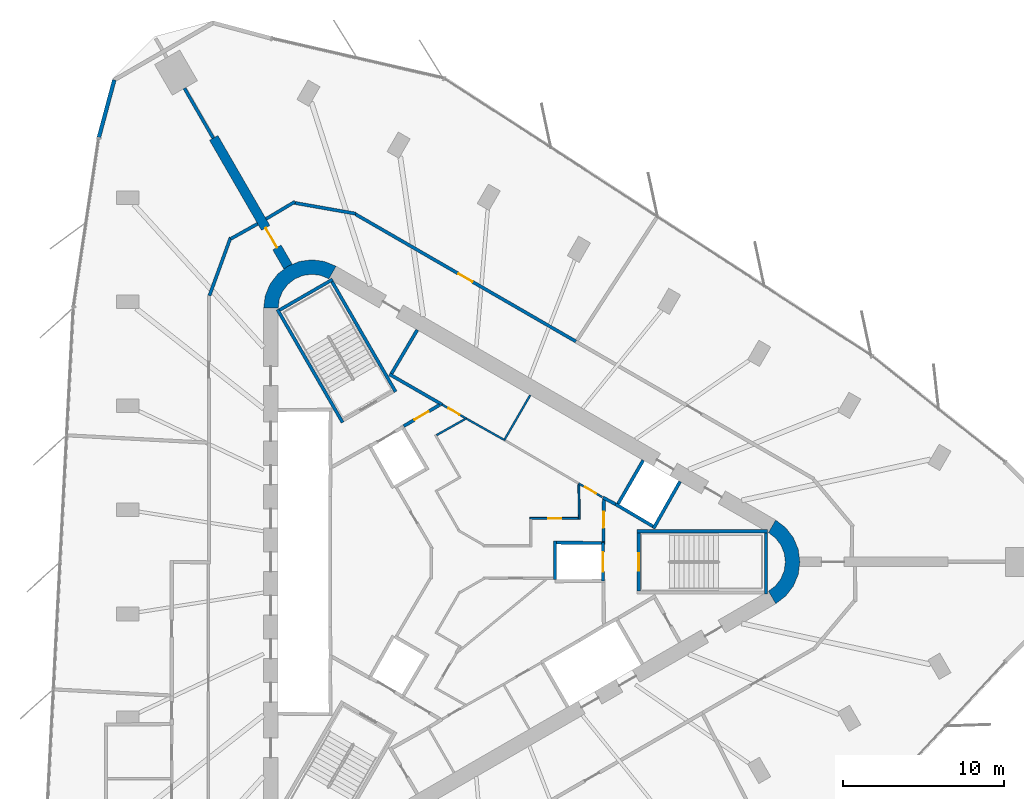
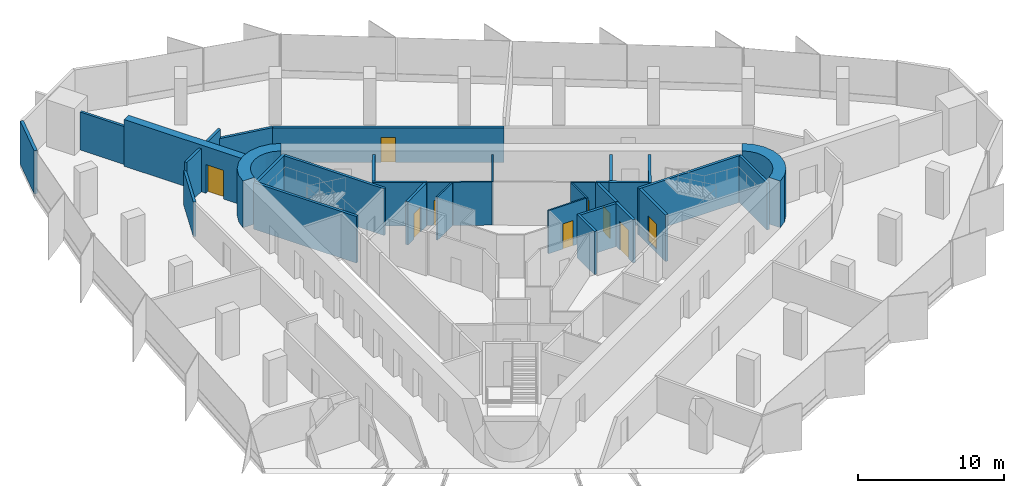
# One storey, part 11 of 13: 34 walls, 9 doors, 9 openings.
"""IFC4 building model written with IfcOpenShell, lengths in metres."""

from ifc_helpers import new_model, si_unit, direction, frame, frame_2d, origin, place, context, subcontext, project, spatial, polyline, rectangle, outline, extrude, material, layer, layer_set, type_object, element, fill, save


model = new_model("IFC4")

# Units and contexts
model_context = context("Model", 3, precision=1e-05, world=origin(), true_north=direction((0.0, 1.0)))
body_context = subcontext(model_context, "Body", "Model", "MODEL_VIEW")
ifc_project = project(units=[si_unit("LENGTHUNIT", "METRE"), si_unit("AREAUNIT", "SQUARE_METRE"), si_unit("VOLUMEUNIT", "CUBIC_METRE"), si_unit("PLANEANGLEUNIT", "RADIAN"), si_unit("MASSUNIT", "GRAM", prefix="KILO")], contexts=[model_context])

# Site, building, storey
site_placement = place(None, origin())
site = spatial("IfcSite", under=ifc_project, at=site_placement, CompositionType="ELEMENT")
building_placement = place(site_placement, origin())
building = spatial("IfcBuilding", under=site, at=building_placement, Name="Tanit Gate Tower", CompositionType="ELEMENT")
storey_placement = place(building_placement, frame((0.0, 0.0, 314.300048828125)))
storey = spatial("IfcBuildingStorey", under=building, at=storey_placement, Name="L70", CompositionType="ELEMENT", Elevation=314.300048828125)

# Wall, opening, door
ifc_material_1 = material(Name="Concrete C40/50", Category="concrete")
ifc_layer_1 = layer(ifc_material_1, 0.60009765625)
ifc_layer_set_1 = layer_set([ifc_layer_1], Name="BUTTRESS FIN 600 C40/50")
wall_type_1 = type_object("IfcWallType", Name="BUTTRESS FIN 600 C40/50", PredefinedType="SHEAR", material=ifc_layer_set_1)
wall_1_placement = place(storey_placement, frame((-10.574951171875, 18.31640625, 0.0), z_axis=(0.0, 0.0, 1.0), x_axis=(-0.500009446655, 0.866019949687, 0.0)))
wall_1 = element("IfcWall", 1, at=wall_1_placement, inside=storey, type_object=wall_type_1, Name="BUTTRESS FIN", PredefinedType="SHEAR", context=body_context, shape_type="SweptSolid", body=[
    extrude(rectangle(XDim=9.253662109375, YDim=0.60009765625, at=frame_2d((4.626953125, 0.0))), origin(), (0.0, 0.0, 1.0), 3.89990234375),
])
opening_1_placement = place(wall_1_placement, frame((1.39990234375, 0.0, 0.0)))
opening_1 = element("IfcOpeningElement", 2, at=opening_1_placement, cuts=wall_1, Name="Opening P14-S19-F-NW-1", PredefinedType="OPENING", context=body_context, shape_type="SweptSolid", body=[
    extrude(rectangle(XDim=1.39990234375, YDim=2.39990234375, at=frame_2d((0.699951171875, 1.199951171875))), frame((0.0, 0.31005859375, 0.0), z_axis=(0.0, -1.0, 0.0), x_axis=(1.0, 0.0, 0.0)), (0.0, 0.0, 1.0), 0.6201171875),
])
ifc_material_2 = material(Name="Timber door leaf", Category="wood")
door_type_1 = type_object("IfcDoorType", Name="INT-DOOR-FIN-PAIR-1400", OperationType="NOTDEFINED", PredefinedType="NOTDEFINED", material=ifc_material_2)
door_1_placement = place(opening_1_placement, origin())
door_1 = element("IfcDoor", 3, at=door_1_placement, inside=storey, type_object=door_type_1, Name="Door P14-S19-F-NW-1", OperationType="DOUBLE_DOOR_SINGLE_SWING", OverallHeight=2.39990234375, OverallWidth=1.39990234375, PredefinedType="NOTDEFINED", context=body_context, shape_type="SweptSolid", body=[
    extrude(rectangle(XDim=1.39990234375, YDim=2.39990234375, at=frame_2d((0.699951171875, 1.199951171875))), frame((0.0, 0.02490234375, 0.0), z_axis=(0.0, -1.0, 0.0), x_axis=(1.0, 0.0, 0.0)), (0.0, 0.0, 1.0), 0.050048828125),
])
fill(opening_1, door_1)

# Walls
ifc_material_3 = material(Name="Concrete C40/50", Category="concrete")
ifc_layer_2 = layer(ifc_material_3, 0.89990234375)
ifc_layer_set_2 = layer_set([ifc_layer_2], Name="CORE WALL 900 C40/50")
wall_type_2 = type_object("IfcWallType", Name="CORE WALL 900 C40/50", PredefinedType="SHEAR", material=ifc_layer_set_2)
wall_2_placement = place(storey_placement, origin())
element("IfcWall", 4, at=wall_2_placement, inside=storey, type_object=wall_type_2, Name="CORE WALL CORNER", PredefinedType="SHEAR", context=body_context, shape_type="SweptSolid", body=[
    extrude(outline(polyline([(-7.60009765625, 18.359619140625), (-8.323486328125, 18.659423828125), (-9.10009765625, 18.76171875), (-9.87646484375, 18.659423828125), (-10.60009765625, 18.359619140625), (-11.22119140625, 17.883056640625), (-11.697998046875, 17.26171875), (-11.997802734375, 16.5380859375), (-12.10009765625, 15.76171875), (-11.199951171875, 15.76171875), (-11.12841796875, 16.30517578125), (-10.918701171875, 16.811767578125), (-10.5849609375, 17.24658203125), (-10.14990234375, 17.580322265625), (-9.6435546875, 17.7900390625), (-9.10009765625, 17.86181640625), (-8.556396484375, 17.7900390625), (-8.050048828125, 17.580322265625), (-7.60009765625, 18.359619140625)])), origin(), (0.0, 0.0, 1.0), 3.89990234375),
])
wall_3_placement = place(storey_placement, origin())
element("IfcWall", 5, at=wall_3_placement, inside=storey, type_object=wall_type_2, Name="CORE WALL CORNER", PredefinedType="SHEAR", context=body_context, shape_type="SweptSolid", body=[
    extrude(outline(polyline([(19.699951171875, -2.59814453125), (20.3212890625, -2.121337890625), (20.798095703125, -1.5), (21.097900390625, -0.776611328125), (21.199951171875, 0.0), (21.097900390625, 0.776611328125), (20.798095703125, 1.5), (20.3212890625, 2.121337890625), (19.699951171875, 2.59814453125), (19.25, 1.818603515625), (19.684814453125, 1.48486328125), (20.018798828125, 1.050048828125), (20.228515625, 0.54345703125), (20.300048828125, 0.0), (20.228515625, -0.54345703125), (20.018798828125, -1.050048828125), (19.684814453125, -1.48486328125), (19.25, -1.818603515625), (19.699951171875, -2.59814453125)])), origin(), (0.0, 0.0, 1.0), 3.89990234375),
])
ifc_material_4 = material(Name="Concrete C30/37 with bronze anodised aluminium cladding", Category="concrete")
ifc_layer_3 = layer(ifc_material_4, 0.239990234375)
ifc_layer_set_3 = layer_set([ifc_layer_3], Name="Facade wall bronze clad 240")
wall_type_3 = type_object("IfcWallType", Name="Facade wall bronze clad 240", PredefinedType="SOLIDWALL", material=ifc_layer_set_3)
wall_4_placement = place(storey_placement, frame((-21.375244140625, 29.930908203125, 0.0), z_axis=(0.0, 0.0, 1.0), x_axis=(-0.258772400119, -0.965938323568, 0.0)))
element("IfcWall", 6, at=wall_4_placement, inside=storey, type_object=wall_type_3, Name="Bronze-clad facade wall L70 NW.arc3", PredefinedType="SOLIDWALL", context=body_context, shape_type="SweptSolid", body=[
    extrude(rectangle(XDim=3.696533203125, YDim=0.239990234375, at=frame_2d((1.84814453125, 0.0))), origin(), (0.0, 0.0, 1.0), 3.599853515625),
])
ifc_material_5 = material(Name="Fire-rated gypsum board partition")
ifc_layer_4 = layer(ifc_material_5, 0.199951171875)
ifc_layer_set_4 = layer_set([ifc_layer_4], Name="INT-WALL-COMPARTMENT")
wall_type_4 = type_object("IfcWallType", Name="INT-WALL-COMPARTMENT", PredefinedType="PARTITIONING", material=ifc_layer_set_4)
wall_5_placement = place(storey_placement, frame((8.97412109375, 3.998779296875, 0.0), z_axis=(0.0, 0.0, 1.0), x_axis=(0.880917147855, -0.473270513147, 0.0)))
element("IfcWall", 7, at=wall_5_placement, inside=storey, type_object=wall_type_4, Name="Wall Compartment W045", PredefinedType="PARTITIONING", context=body_context, shape_type="SweptSolid", body=[
    extrude(rectangle(XDim=0.8779296875, YDim=0.199951171875, at=frame_2d((0.43896484375, 0.0))), origin(), (0.0, 0.0, 1.0), 3.599853515625),
])
wall_6_placement = place(storey_placement, frame((-4.295654296875, 11.659912109375, 0.0), z_axis=(0.0, 0.0, 1.0), x_axis=(0.866027389382, -0.499996560828, 0.0)))
element("IfcWall", 8, at=wall_6_placement, inside=storey, type_object=wall_type_4, Name="Wall Compartment W048", PredefinedType="PARTITIONING", context=body_context, shape_type="SweptSolid", body=[
    extrude(rectangle(XDim=3.77783203125, YDim=0.199951171875, at=frame_2d((1.888916015625, 0.0))), origin(), (0.0, 0.0, 1.0), 3.599853515625),
])
wall_7_placement = place(storey_placement, frame((-2.557861328125, 14.409423828125, 0.0), z_axis=(0.0, 0.0, 1.0), x_axis=(-0.508018930956, -0.861345903683, 0.0)))
element("IfcWall", 9, at=wall_7_placement, inside=storey, type_object=wall_type_4, Name="Wall Compartment W049", PredefinedType="PARTITIONING", context=body_context, shape_type="SweptSolid", body=[
    extrude(rectangle(XDim=3.150146484375, YDim=0.199951171875, at=frame_2d((1.5751953125, 0.0))), origin(), (0.0, 0.0, 1.0), 3.599853515625),
])

# Wall, opening, door
wall_8_placement = place(storey_placement, frame((9.0009765625, 1.27001953125, 0.0), z_axis=(0.0, 0.0, 1.0), x_axis=(0.010723968736, 0.999942496594, 0.0)))
wall_8 = element("IfcWall", 10, at=wall_8_placement, inside=storey, type_object=wall_type_4, Name="Wall Compartment W063", PredefinedType="PARTITIONING", context=body_context, shape_type="SweptSolid", body=[
    extrude(rectangle(XDim=2.709228515625, YDim=0.199951171875, at=frame_2d((1.3544921875, 0.0))), origin(), (0.0, 0.0, 1.0), 3.599853515625),
])
opening_2_placement = place(wall_8_placement, frame((0.848388671875, 0.0, 0.0)))
opening_2 = element("IfcOpeningElement", 11, at=opening_2_placement, cuts=wall_8, Name="Opening F10-S19-02", PredefinedType="OPENING", context=body_context, shape_type="SweptSolid", body=[
    extrude(rectangle(XDim=1.0, YDim=2.10009765625, at=frame_2d((0.5, 1.050048828125))), frame((0.0, 0.10986328125, 0.0), z_axis=(0.0, -1.0, 0.0), x_axis=(1.0, 0.0, 0.0)), (0.0, 0.0, 1.0), 0.219970703125),
])
ifc_material_6 = material(Name="Fire-rated steel door leaf", Category="steel")
door_type_2 = type_object("IfcDoorType", Name="INT-DOOR-FIRE-1000", OperationType="NOTDEFINED", PredefinedType="USERDEFINED", material=ifc_material_6)
door_2_placement = place(opening_2_placement, origin())
door_2 = element("IfcDoor", 12, at=door_2_placement, inside=storey, type_object=door_type_2, Name="Door F10-S19-02", ObjectType="FIRE DOOR", OperationType="SINGLE_SWING_LEFT", OverallHeight=2.10009765625, OverallWidth=1.0, PredefinedType="USERDEFINED", context=body_context, shape_type="SweptSolid", body=[
    extrude(rectangle(XDim=1.0, YDim=2.10009765625, at=frame_2d((0.5, 1.050048828125))), frame((0.0, 0.02490234375, 0.0), z_axis=(0.0, -1.0, 0.0), x_axis=(1.0, 0.0, 0.0)), (0.0, 0.0, 1.0), 0.050048828125),
])
fill(opening_2, door_2)

wall_9_placement = place(storey_placement, frame((-1.1787109375, 9.744873046875, 0.0), z_axis=(0.0, 0.0, 1.0), x_axis=(-0.860630814782, -0.509229418482, 0.0)))
wall_9 = element("IfcWall", 13, at=wall_9_placement, inside=storey, type_object=wall_type_4, Name="Wall Compartment W065", PredefinedType="PARTITIONING", context=body_context, shape_type="SweptSolid", body=[
    extrude(rectangle(XDim=2.581787109375, YDim=0.199951171875, at=frame_2d((1.291015625, 0.0))), origin(), (0.0, 0.0, 1.0), 3.599853515625),
])
opening_3_placement = place(wall_9_placement, frame((0.791015625, 0.0, 0.0)))
opening_3 = element("IfcOpeningElement", 14, at=opening_3_placement, cuts=wall_9, Name="Opening F10-S19-05", PredefinedType="OPENING", context=body_context, shape_type="SweptSolid", body=[
    extrude(rectangle(XDim=1.0, YDim=2.10009765625, at=frame_2d((0.5, 1.050048828125))), frame((0.0, 0.10986328125, 0.0), z_axis=(0.0, -1.0, 0.0), x_axis=(1.0, 0.0, 0.0)), (0.0, 0.0, 1.0), 0.219970703125),
])
door_3_placement = place(opening_3_placement, origin())
door_3 = element("IfcDoor", 15, at=door_3_placement, inside=storey, type_object=door_type_2, Name="Door F10-S19-05", ObjectType="FIRE DOOR", OperationType="SINGLE_SWING_LEFT", OverallHeight=2.10009765625, OverallWidth=1.0, PredefinedType="USERDEFINED", context=body_context, shape_type="SweptSolid", body=[
    extrude(rectangle(XDim=1.0, YDim=2.10009765625, at=frame_2d((0.5, 1.050048828125))), frame((0.0, 0.02490234375, 0.0), z_axis=(0.0, -1.0, 0.0), x_axis=(1.0, 0.0, 0.0)), (0.0, 0.0, 1.0), 0.050048828125),
])
fill(opening_3, door_3)

# Walls
wall_10_placement = place(storey_placement, frame((-14.15234375, 20.143310546875, 0.0), z_axis=(0.0, 0.0, 1.0), x_axis=(-0.342008467257, -0.939696870445, 0.0)))
element("IfcWall", 16, at=wall_10_placement, inside=storey, type_object=wall_type_4, Name="Wall Compartment W102", PredefinedType="PARTITIONING", context=body_context, shape_type="SweptSolid", body=[
    extrude(rectangle(XDim=3.840576171875, YDim=0.199951171875, at=frame_2d((1.92041015625, 0.0))), origin(), (0.0, 0.0, 1.0), 2.8798828125),
])
wall_11_placement = place(storey_placement, frame((-12.469970703125, 20.99853515625, 0.0), z_axis=(0.0, 0.0, 1.0), x_axis=(-0.872542788959, -0.488537697046, 0.0)))
element("IfcWall", 17, at=wall_11_placement, inside=storey, type_object=wall_type_4, Name="Wall Compartment W103", PredefinedType="PARTITIONING", context=body_context, shape_type="SweptSolid", body=[
    extrude(rectangle(XDim=1.924560546875, YDim=0.199951171875, at=frame_2d((0.96240234375, 0.0))), origin(), (0.0, 0.0, 1.0), 3.599853515625),
])
wall_12_placement = place(storey_placement, frame((-10.154541015625, 22.3671875, 0.0), z_axis=(0.0, 0.0, 1.0), x_axis=(-0.859343009577, -0.511399640097, 0.0)))
element("IfcWall", 18, at=wall_12_placement, inside=storey, type_object=wall_type_4, Name="Wall Compartment W104", PredefinedType="PARTITIONING", context=body_context, shape_type="SweptSolid", body=[
    extrude(rectangle(XDim=2.089599609375, YDim=0.199951171875, at=frame_2d((1.044921875, 0.0))), origin(), (0.0, 0.0, 1.0), 3.599853515625),
])
wall_13_placement = place(storey_placement, frame((-6.389404296875, 21.626220703125, 0.0), z_axis=(0.0, 0.0, 1.0), x_axis=(-0.984802578286, 0.173677522442, 0.0)))
element("IfcWall", 19, at=wall_13_placement, inside=storey, type_object=wall_type_4, Name="Wall Compartment W105", PredefinedType="PARTITIONING", context=body_context, shape_type="SweptSolid", body=[
    extrude(rectangle(XDim=3.87548828125, YDim=0.199951171875, at=frame_2d((1.937744140625, 0.0))), origin(), (0.0, 0.0, 1.0), 2.8798828125),
])

# Wall, opening, door
wall_14_placement = place(storey_placement, frame((7.2890625, 13.689453125, 0.0), z_axis=(0.0, 0.0, 1.0), x_axis=(-0.866022017938, 0.500005864412, 0.0)))
wall_14 = element("IfcWall", 20, at=wall_14_placement, inside=storey, type_object=wall_type_4, Name="Wall Compartment W106", PredefinedType="PARTITIONING", context=body_context, shape_type="SweptSolid", body=[
    extrude(rectangle(XDim=15.808349609375, YDim=0.199951171875, at=frame_2d((7.904296875, 0.0))), origin(), (0.0, 0.0, 1.0), 2.8798828125),
])
opening_4_placement = place(wall_14_placement, frame((7.404296875, 0.0, 0.0)))
opening_4 = element("IfcOpeningElement", 21, at=opening_4_placement, cuts=wall_14, Name="Opening F10-S19-28", PredefinedType="OPENING", context=body_context, shape_type="SweptSolid", body=[
    extrude(rectangle(XDim=1.0, YDim=2.10009765625, at=frame_2d((0.5, 1.050048828125))), frame((0.0, 0.10986328125, 0.0), z_axis=(0.0, -1.0, 0.0), x_axis=(1.0, 0.0, 0.0)), (0.0, 0.0, 1.0), 0.219970703125),
])
door_4_placement = place(opening_4_placement, origin())
door_4 = element("IfcDoor", 22, at=door_4_placement, inside=storey, type_object=door_type_2, Name="Door F10-S19-28", ObjectType="FIRE DOOR", OperationType="SINGLE_SWING_RIGHT", OverallHeight=2.10009765625, OverallWidth=1.0, PredefinedType="USERDEFINED", context=body_context, shape_type="SweptSolid", body=[
    extrude(rectangle(XDim=1.0, YDim=2.10009765625, at=frame_2d((0.5, 1.050048828125))), frame((0.0, 0.02490234375, 0.0), z_axis=(0.0, -1.0, 0.0), x_axis=(1.0, 0.0, 0.0)), (0.0, 0.0, 1.0), 0.050048828125),
])
fill(opening_4, door_4)

# Walls
wall_15_placement = place(storey_placement, frame((-17.017333984375, 29.4150390625, 0.0), z_axis=(0.0, 0.0, 1.0), x_axis=(0.49999800388, -0.866026556242, 0.0)))
element("IfcWall", 23, at=wall_15_placement, inside=storey, type_object=wall_type_4, Name="Wall Compartment W131", PredefinedType="PARTITIONING", context=body_context, shape_type="SweptSolid", body=[
    extrude(rectangle(XDim=3.5791015625, YDim=0.199951171875, at=frame_2d((1.78955078125, 0.0))), origin(), (0.0, 0.0, 1.0), 3.169921875),
])
ifc_material_7 = material(Name="Gypsum board partition")
ifc_layer_5 = layer(ifc_material_7, 0.1201171875)
ifc_layer_set_5 = layer_set([ifc_layer_5], Name="INT-WALL-PARTITION")
wall_type_5 = type_object("IfcWallType", Name="INT-WALL-PARTITION", PredefinedType="PARTITIONING", material=ifc_layer_set_5)
wall_16_placement = place(storey_placement, frame((4.456787109375, 10.359375, 0.0), z_axis=(0.0, 0.0, 1.0), x_axis=(-0.500017246033, -0.866015446554, 0.0)))
element("IfcWall", 24, at=wall_16_placement, inside=storey, type_object=wall_type_5, Name="Wall Partition W044", PredefinedType="PARTITIONING", context=body_context, shape_type="SweptSolid", body=[
    extrude(rectangle(XDim=3.25, YDim=0.1201171875, at=frame_2d((1.625, 0.0))), origin(), (0.0, 0.0, 1.0), 3.599853515625),
])

# Wall, opening, door
wall_17_placement = place(storey_placement, frame((-1.02392578125, 9.77099609375, 0.0), z_axis=(0.0, 0.0, 1.0), x_axis=(0.866039397417, -0.499975761534, 0.0)))
wall_17 = element("IfcWall", 25, at=wall_17_placement, inside=storey, type_object=wall_type_5, Name="Wall Partition W051", PredefinedType="PARTITIONING", context=body_context, shape_type="SweptSolid", body=[
    extrude(rectangle(XDim=1.751953125, YDim=0.1201171875, at=frame_2d((0.8759765625, 0.0))), origin(), (0.0, 0.0, 1.0), 3.599853515625),
])
opening_5_placement = place(wall_17_placement, frame((0.4658203125, 0.0, 0.0)))
opening_5 = element("IfcOpeningElement", 26, at=opening_5_placement, cuts=wall_17, Name="Opening R08-S19-15", PredefinedType="OPENING", context=body_context, shape_type="SweptSolid", body=[
    extrude(rectangle(XDim=0.800048828125, YDim=2.10009765625, at=frame_2d((0.39990234375, 1.050048828125))), frame((0.0, 0.070068359375, 0.0), z_axis=(0.0, -1.0, 0.0), x_axis=(1.0, 0.0, 0.0)), (0.0, 0.0, 1.0), 0.14013671875),
])
ifc_material_8 = material(Name="Timber door leaf", Category="wood")
door_type_3 = type_object("IfcDoorType", Name="INT-DOOR-RISER-800", OperationType="NOTDEFINED", PredefinedType="USERDEFINED", material=ifc_material_8)
door_5_placement = place(opening_5_placement, origin())
door_5 = element("IfcDoor", 27, at=door_5_placement, inside=storey, type_object=door_type_3, Name="Door R08-S19-15", ObjectType="FIRE DOOR", OperationType="SINGLE_SWING_LEFT", OverallHeight=2.10009765625, OverallWidth=0.800048828125, PredefinedType="USERDEFINED", context=body_context, shape_type="SweptSolid", body=[
    extrude(rectangle(XDim=0.800048828125, YDim=2.10009765625, at=frame_2d((0.39990234375, 1.050048828125))), frame((0.0, 0.02490234375, 0.0), z_axis=(0.0, -1.0, 0.0), x_axis=(1.0, 0.0, 0.0)), (0.0, 0.0, 1.0), 0.050048828125),
])
fill(opening_5, door_5)

wall_18_placement = place(storey_placement, frame((7.45654296875, 4.874755859375, 0.0), z_axis=(0.0, 0.0, 1.0), x_axis=(0.866027945518, -0.499995597562, 0.0)))
wall_18 = element("IfcWall", 28, at=wall_18_placement, inside=storey, type_object=wall_type_5, Name="Wall Partition W047", PredefinedType="PARTITIONING", context=body_context, shape_type="SweptSolid", body=[
    extrude(rectangle(XDim=1.7021484375, YDim=0.1201171875, at=frame_2d((0.85107421875, 0.0))), origin(), (0.0, 0.0, 1.0), 3.599853515625),
])
opening_6_placement = place(wall_18_placement, frame((0.461181640625, 0.0, 0.0)))
opening_6 = element("IfcOpeningElement", 29, at=opening_6_placement, cuts=wall_18, Name="Opening R08-S19-14", PredefinedType="OPENING", context=body_context, shape_type="SweptSolid", body=[
    extrude(rectangle(XDim=0.800048828125, YDim=2.10009765625, at=frame_2d((0.39990234375, 1.050048828125))), frame((0.0, 0.070068359375, 0.0), z_axis=(0.0, -1.0, 0.0), x_axis=(1.0, 0.0, 0.0)), (0.0, 0.0, 1.0), 0.14013671875),
])
door_6_placement = place(opening_6_placement, origin())
door_6 = element("IfcDoor", 30, at=door_6_placement, inside=storey, type_object=door_type_3, Name="Door R08-S19-14", ObjectType="FIRE DOOR", OperationType="SINGLE_SWING_RIGHT", OverallHeight=2.10009765625, OverallWidth=0.800048828125, PredefinedType="USERDEFINED", context=body_context, shape_type="SweptSolid", body=[
    extrude(rectangle(XDim=0.800048828125, YDim=2.10009765625, at=frame_2d((0.39990234375, 1.050048828125))), frame((0.0, 0.02490234375, 0.0), z_axis=(0.0, -1.0, 0.0), x_axis=(1.0, 0.0, 0.0)), (0.0, 0.0, 1.0), 0.050048828125),
])
fill(opening_6, door_6)

# Walls
wall_19_placement = place(storey_placement, frame((2.82080078125, 7.5859375, 0.0), z_axis=(0.0, 0.0, 1.0), x_axis=(-0.871426548871, 0.490526013503, 0.0)))
element("IfcWall", 31, at=wall_19_placement, inside=storey, type_object=wall_type_5, Name="Wall Partition W050", PredefinedType="PARTITIONING", context=body_context, shape_type="SweptSolid", body=[
    extrude(rectangle(XDim=2.670166015625, YDim=0.1201171875, at=frame_2d((1.3349609375, 0.0))), origin(), (0.0, 0.0, 1.0), 3.599853515625),
])
wall_20_placement = place(storey_placement, frame((7.500732421875, 2.639892578125, 0.0), z_axis=(0.0, 0.0, 1.0), x_axis=(-0.01178388431, 0.999930567625, 0.0)))
element("IfcWall", 32, at=wall_20_placement, inside=storey, type_object=wall_type_5, Name="Wall Partition W080", PredefinedType="PARTITIONING", context=body_context, shape_type="SweptSolid", body=[
    extrude(rectangle(XDim=2.15478515625, YDim=0.1201171875, at=frame_2d((1.077392578125, 0.0))), origin(), (0.0, 0.0, 1.0), 3.599853515625),
])

# Wall, opening, door
wall_21_placement = place(storey_placement, frame((4.43994140625, 2.699951171875, 0.0), z_axis=(0.0, 0.0, 1.0), x_axis=(1.0, 0.0, 0.0)))
wall_21 = element("IfcWall", 33, at=wall_21_placement, inside=storey, type_object=wall_type_5, Name="Wall Partition W081", PredefinedType="PARTITIONING", context=body_context, shape_type="SweptSolid", body=[
    extrude(rectangle(XDim=3.0, YDim=0.1201171875, at=frame_2d((1.5, 0.0))), origin(), (0.0, 0.0, 1.0), 3.599853515625),
])
opening_7_placement = place(wall_21_placement, frame((1.1298828125, 0.0, 0.0)))
opening_7 = element("IfcOpeningElement", 34, at=opening_7_placement, cuts=wall_21, Name="Opening R08-S19-13", PredefinedType="OPENING", context=body_context, shape_type="SweptSolid", body=[
    extrude(rectangle(XDim=0.800048828125, YDim=2.10009765625, at=frame_2d((0.39990234375, 1.050048828125))), frame((0.0, 0.070068359375, 0.0), z_axis=(0.0, -1.0, 0.0), x_axis=(1.0, 0.0, 0.0)), (0.0, 0.0, 1.0), 0.14013671875),
])
door_7_placement = place(opening_7_placement, origin())
door_7 = element("IfcDoor", 35, at=door_7_placement, inside=storey, type_object=door_type_3, Name="Door R08-S19-13", ObjectType="FIRE DOOR", OperationType="SINGLE_SWING_LEFT", OverallHeight=2.10009765625, OverallWidth=0.800048828125, PredefinedType="USERDEFINED", context=body_context, shape_type="SweptSolid", body=[
    extrude(rectangle(XDim=0.800048828125, YDim=2.10009765625, at=frame_2d((0.39990234375, 1.050048828125))), frame((0.0, 0.02490234375, 0.0), z_axis=(0.0, -1.0, 0.0), x_axis=(1.0, 0.0, 0.0)), (0.0, 0.0, 1.0), 0.050048828125),
])
fill(opening_7, door_7)

# Walls
wall_22_placement = place(storey_placement, frame((0.414306640625, 8.87109375, 0.0), z_axis=(0.0, 0.0, 1.0), x_axis=(-0.871809386997, -0.48984527429, 0.0)))
element("IfcWall", 36, at=wall_22_placement, inside=storey, type_object=wall_type_5, Name="Wall Partition W088", PredefinedType="PARTITIONING", context=body_context, shape_type="SweptSolid", body=[
    extrude(rectangle(XDim=2.034423828125, YDim=0.1201171875, at=frame_2d((1.01708984375, 0.0))), origin(), (0.0, 0.0, 1.0), 3.599853515625),
])
ifc_material_9 = material(Name="Gypsum shaft wall system")
ifc_layer_6 = layer(ifc_material_9, 0.199951171875)
ifc_layer_set_6 = layer_set([ifc_layer_6], Name="INT-WALL-SHAFT")
wall_type_6 = type_object("IfcWallType", Name="INT-WALL-SHAFT", PredefinedType="PLUMBINGWALL", material=ifc_layer_set_6)
wall_23_placement = place(storey_placement, frame((9.8466796875, 3.494873046875, 0.0), z_axis=(0.0, 0.0, 1.0), x_axis=(0.499984717929, 0.866034226713, 0.0)))
element("IfcWall", 37, at=wall_23_placement, inside=storey, type_object=wall_type_6, Name="Wall Shaft W012", PredefinedType="PLUMBINGWALL", context=body_context, shape_type="SweptSolid", body=[
    extrude(rectangle(XDim=3.25, YDim=0.199951171875, at=frame_2d((1.625, 0.0))), origin(), (0.0, 0.0, 1.0), 3.599853515625),
])
wall_24_placement = place(storey_placement, frame((12.10986328125, 2.07275390625, 0.0), z_axis=(0.0, 0.0, 1.0), x_axis=(0.49196600604, 0.870614408852, 0.0)))
element("IfcWall", 38, at=wall_24_placement, inside=storey, type_object=wall_type_6, Name="Wall Shaft W013", PredefinedType="PLUMBINGWALL", context=body_context, shape_type="SweptSolid", body=[
    extrude(rectangle(XDim=3.35009765625, YDim=0.199951171875, at=frame_2d((1.675048828125, 0.0))), origin(), (0.0, 0.0, 1.0), 3.599853515625),
])
wall_25_placement = place(storey_placement, frame((12.072998046875, 2.2109375, 0.0), z_axis=(0.0, 0.0, 1.0), x_axis=(-0.860414880418, 0.509594185166, 0.0)))
element("IfcWall", 39, at=wall_25_placement, inside=storey, type_object=wall_type_6, Name="Wall Shaft W014", PredefinedType="PLUMBINGWALL", context=body_context, shape_type="SweptSolid", body=[
    extrude(rectangle(XDim=2.7001953125, YDim=0.199951171875, at=frame_2d((1.35009765625, 0.0))), origin(), (0.0, 0.0, 1.0), 3.599853515625),
])

# Wall, opening, door
wall_26_placement = place(storey_placement, frame((8.969970703125, 1.199951171875, 0.0), z_axis=(0.0, 0.0, 1.0), x_axis=(0.0, -1.0, 0.0)))
wall_26 = element("IfcWall", 40, at=wall_26_placement, inside=storey, type_object=wall_type_6, Name="Wall Shaft W024", PredefinedType="PLUMBINGWALL", context=body_context, shape_type="SweptSolid", body=[
    extrude(rectangle(XDim=2.39990234375, YDim=0.199951171875, at=frame_2d((1.199951171875, 0.0))), origin(), (0.0, 0.0, 1.0), 3.599853515625),
])
opening_8_placement = place(wall_26_placement, frame((0.60009765625, 0.0, 0.0)))
opening_8 = element("IfcOpeningElement", 41, at=opening_8_placement, cuts=wall_26, Name="Opening LDFL1-L70", PredefinedType="OPENING", context=body_context, shape_type="SweptSolid", body=[
    extrude(rectangle(XDim=1.199951171875, YDim=2.39990234375, at=frame_2d((0.60009765625, 1.199951171875))), frame((0.0, 0.10986328125, 0.0), z_axis=(0.0, -1.0, 0.0), x_axis=(1.0, 0.0, 0.0)), (0.0, 0.0, 1.0), 0.219970703125),
])
ifc_material_10 = material(Name="Stainless steel sliding door leaf", Category="steel")
door_type_4 = type_object("IfcDoorType", Name="INT-DOOR-LANDING-1200", OperationType="NOTDEFINED", PredefinedType="USERDEFINED", material=ifc_material_10)
door_8_placement = place(opening_8_placement, origin())
door_8 = element("IfcDoor", 42, at=door_8_placement, inside=storey, type_object=door_type_4, Name="Door LDFL1-L70", ObjectType="LANDING DOOR", OperationType="SLIDING_TO_LEFT", OverallHeight=2.39990234375, OverallWidth=1.199951171875, PredefinedType="USERDEFINED", context=body_context, shape_type="SweptSolid", body=[
    extrude(rectangle(XDim=1.199951171875, YDim=2.39990234375, at=frame_2d((0.60009765625, 1.199951171875))), frame((0.0, 0.02490234375, 0.0), z_axis=(0.0, -1.0, 0.0), x_axis=(1.0, 0.0, 0.0)), (0.0, 0.0, 1.0), 0.050048828125),
])
fill(opening_8, door_8)

# Walls
wall_27_placement = place(storey_placement, frame((6.0, -1.089599609375, 0.0), z_axis=(0.0, 0.0, 1.0), x_axis=(0.0, 1.0, 0.0)))
element("IfcWall", 43, at=wall_27_placement, inside=storey, type_object=wall_type_6, Name="Wall Shaft W026", PredefinedType="PLUMBINGWALL", context=body_context, shape_type="SweptSolid", body=[
    extrude(rectangle(XDim=2.3896484375, YDim=0.199951171875, at=frame_2d((1.19482421875, 0.0))), origin(), (0.0, 0.0, 1.0), 3.599853515625),
])
wall_28_placement = place(storey_placement, frame((9.10009765625, 1.1689453125, 0.0), z_axis=(0.0, 0.0, 1.0), x_axis=(-0.99994990606, 0.010009264196, 0.0)))
element("IfcWall", 44, at=wall_28_placement, inside=storey, type_object=wall_type_6, Name="Wall Shaft W027", PredefinedType="PLUMBINGWALL", context=body_context, shape_type="SweptSolid", body=[
    extrude(rectangle(XDim=3.000244140625, YDim=0.199951171875, at=frame_2d((1.5, 0.0))), origin(), (0.0, 0.0, 1.0), 3.599853515625),
])
ifc_material_11 = material(Name="Concrete C40/50", Category="concrete")
ifc_layer_7 = layer(ifc_material_11, 0.199951171875)
ifc_layer_set_7 = layer_set([ifc_layer_7], Name="INT-WALL-STAIR")
wall_type_7 = type_object("IfcWallType", Name="INT-WALL-STAIR", PredefinedType="SHEAR", material=ifc_layer_set_7)
wall_29_placement = place(storey_placement, frame((19.199951171875, 1.89990234375, -0.300048828125), z_axis=(0.0, 0.0, 1.0), x_axis=(-1.0, 0.0, 0.0)))
element("IfcWall", 45, at=wall_29_placement, inside=storey, type_object=wall_type_7, Name="Wall Stair W020", PredefinedType="SHEAR", context=body_context, shape_type="SweptSolid", body=[
    extrude(rectangle(XDim=8.099853515625, YDim=0.199951171875, at=frame_2d((4.0498046875, 0.0))), origin(), (0.0, 0.0, 1.0), 3.89990234375),
])
wall_30_placement = place(storey_placement, frame((19.10009765625, -2.0, -0.300048828125), z_axis=(0.0, 0.0, 1.0), x_axis=(0.0, 1.0, 0.0)))
element("IfcWall", 46, at=wall_30_placement, inside=storey, type_object=wall_type_7, Name="Wall Stair W021", PredefinedType="SHEAR", context=body_context, shape_type="SweptSolid", body=[
    extrude(rectangle(XDim=3.800048828125, YDim=0.199951171875, at=frame_2d((1.89990234375, 0.0))), origin(), (0.0, 0.0, 1.0), 3.89990234375),
])

# Wall, opening, door
wall_31_placement = place(storey_placement, frame((11.199951171875, -1.800048828125, -0.300048828125), z_axis=(0.0, 0.0, 1.0), x_axis=(0.0, 1.0, 0.0)))
wall_31 = element("IfcWall", 47, at=wall_31_placement, inside=storey, type_object=wall_type_7, Name="Wall Stair W023", PredefinedType="SHEAR", context=body_context, shape_type="SweptSolid", body=[
    extrude(rectangle(XDim=3.60009765625, YDim=0.199951171875, at=frame_2d((1.800048828125, 0.0))), origin(), (0.0, 0.0, 1.0), 3.89990234375),
])
opening_9_placement = place(wall_31_placement, frame((1.25, 0.0, 0.300048828125)))
opening_9 = element("IfcOpeningElement", 48, at=opening_9_placement, cuts=wall_31, Name="Opening S11-S19-01", PredefinedType="OPENING", context=body_context, shape_type="SweptSolid", body=[
    extrude(rectangle(XDim=1.10009765625, YDim=2.10009765625, at=frame_2d((0.550048828125, 1.050048828125))), frame((0.0, 0.10986328125, 0.0), z_axis=(0.0, -1.0, 0.0), x_axis=(1.0, 0.0, 0.0)), (0.0, 0.0, 1.0), 0.219970703125),
])
ifc_material_12 = material(Name="Timber door leaf", Category="wood")
door_type_5 = type_object("IfcDoorType", Name="INT-DOOR-STAIR-1100", OperationType="NOTDEFINED", PredefinedType="USERDEFINED", material=ifc_material_12)
door_9_placement = place(opening_9_placement, origin())
door_9 = element("IfcDoor", 49, at=door_9_placement, inside=storey, type_object=door_type_5, Name="Door S11-S19-01", ObjectType="FIRE DOOR", OperationType="SINGLE_SWING_RIGHT", OverallHeight=2.10009765625, OverallWidth=1.10009765625, PredefinedType="USERDEFINED", context=body_context, shape_type="SweptSolid", body=[
    extrude(rectangle(XDim=1.10009765625, YDim=2.10009765625, at=frame_2d((0.550048828125, 1.050048828125))), frame((0.0, 0.02490234375, 0.0), z_axis=(0.0, -1.0, 0.0), x_axis=(1.0, 0.0, 0.0)), (0.0, 0.0, 1.0), 0.050048828125),
])
fill(opening_9, door_9)

# Walls
wall_32_placement = place(storey_placement, frame((-11.245361328125, 15.677734375, -0.300048828125), z_axis=(0.0, 0.0, 1.0), x_axis=(0.499977274689, -0.866038523851, 0.0)))
element("IfcWall", 50, at=wall_32_placement, inside=storey, type_object=wall_type_7, Name="Wall Stair W028", PredefinedType="SHEAR", context=body_context, shape_type="SweptSolid", body=[
    extrude(rectangle(XDim=8.10009765625, YDim=0.199951171875, at=frame_2d((4.050048828125, 0.0))), origin(), (0.0, 0.0, 1.0), 3.89990234375),
])
wall_33_placement = place(storey_placement, frame((-7.81787109375, 17.541015625, -0.300048828125), z_axis=(0.0, 0.0, 1.0), x_axis=(-0.866044365799, -0.499967155389, 0.0)))
element("IfcWall", 51, at=wall_33_placement, inside=storey, type_object=wall_type_7, Name="Wall Stair W029", PredefinedType="SHEAR", context=body_context, shape_type="SweptSolid", body=[
    extrude(rectangle(XDim=3.800048828125, YDim=0.199951171875, at=frame_2d((1.89990234375, 0.0))), origin(), (0.0, 0.0, 1.0), 3.89990234375),
])
wall_34_placement = place(storey_placement, frame((-7.8544921875, 17.404541015625, -0.300048828125), z_axis=(0.0, 0.0, 1.0), x_axis=(0.499997992926, -0.866026562566, 0.0)))
element("IfcWall", 52, at=wall_34_placement, inside=storey, type_object=wall_type_7, Name="Wall Stair W030", PredefinedType="SHEAR", context=body_context, shape_type="SweptSolid", body=[
    extrude(rectangle(XDim=7.89990234375, YDim=0.199951171875, at=frame_2d((3.949951171875, 0.0))), origin(), (0.0, 0.0, 1.0), 3.89990234375),
])

save(model, "model.ifc")
